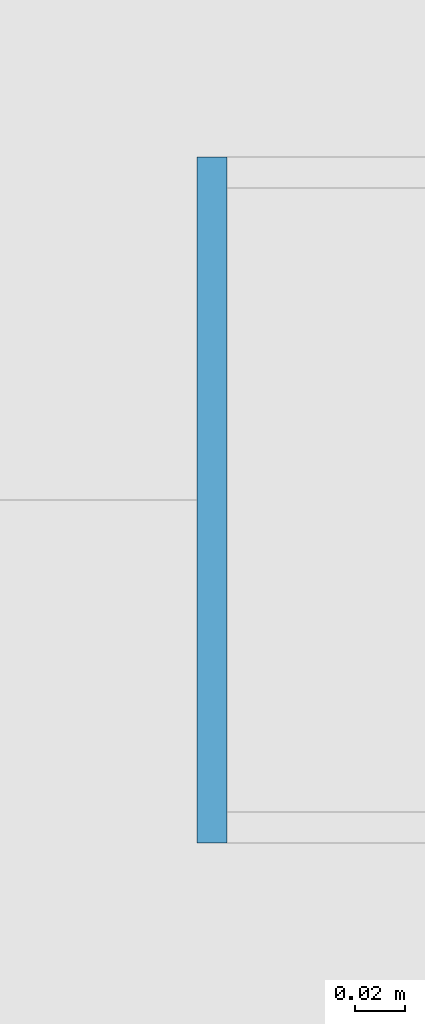
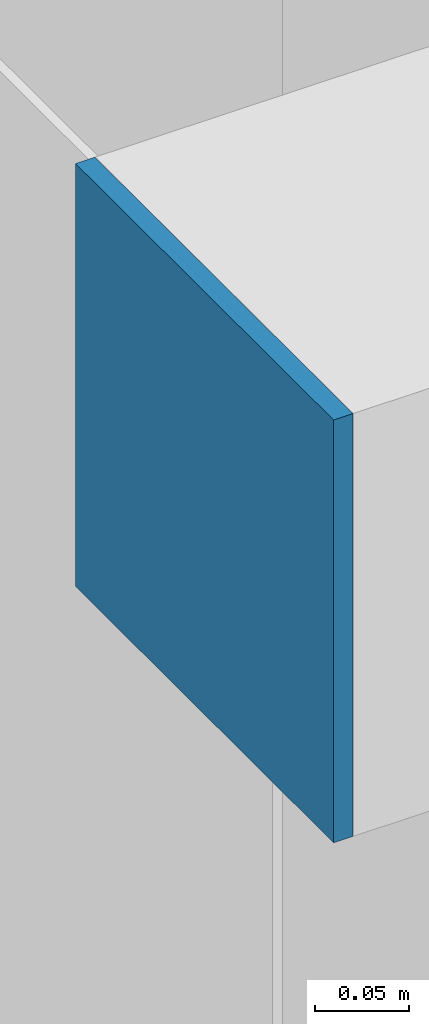
# One storey, part 33 of 44: 1 plate.
"""IFC4 building model written with IfcOpenShell, lengths in metres."""

from ifc_helpers import new_model, si_unit, direction, frame, origin, origin_2d, place, context, subcontext, project, spatial, rectangle, extrude, source, transform, mapped, material, layer, layer_set, type_object, element, save


model = new_model("IFC4")

# Units and contexts
model_context = context("Model", 3, precision=1e-05, world=origin(), true_north=direction((0.0, 1.0)))
body_context = subcontext(model_context, "Body", "Model", "MODEL_VIEW")
ifc_project = project(units=[si_unit("LENGTHUNIT", "METRE"), si_unit("AREAUNIT", "SQUARE_METRE"), si_unit("VOLUMEUNIT", "CUBIC_METRE"), si_unit("PLANEANGLEUNIT", "RADIAN"), si_unit("MASSUNIT", "GRAM", prefix="KILO")], contexts=[model_context])

# Site, building, storey
site_placement = place(None, origin())
site = spatial("IfcSite", under=ifc_project, at=site_placement, CompositionType="ELEMENT")
building_placement = place(site_placement, origin())
building = spatial("IfcBuilding", under=site, at=building_placement, Name="Taldren Reach Tower", CompositionType="ELEMENT")
storey_placement = place(building_placement, frame((0.0, 0.0, 38.85009765625)))
storey = spatial("IfcBuildingStorey", under=building, at=storey_placement, Name="L11", CompositionType="ELEMENT", Elevation=38.85009765625)

# Plate
ifc_material = material(Name="Steel Gr 450 (C450L0)", Category="steel")
ifc_layer = layer(ifc_material, 0.011962890625)
ifc_layer_set = layer_set([ifc_layer], Name="Steel Gr 450 (C450L0)")
plate_type = type_object("IfcPlateType", Name="PL-CAP-275", PredefinedType="SHEET", material=ifc_layer_set)
shared_shape = source(origin(), body_context, "Body", "SweptSolid", [
    extrude(rectangle(XDim=0.011962890625, YDim=0.27490234375, at=origin_2d()), origin(), (0.0, 0.0, 1.0), 0.27490234375),
])
plate_placement = place(storey_placement, frame((4.093994140625, 20.0, 2.512451171875), z_axis=(0.0, 0.0, 1.0), x_axis=(1.0, 0.0, 0.0)))
element("IfcPlate", 1, at=plate_placement, inside=storey, type_object=plate_type, Name="Tie strut end cap plate B1-W2 L11", PredefinedType="SHEET", context=body_context, shape_type="MappedRepresentation", body=[
    mapped(shared_shape, transform((0.0, 0.0, 0.0), scale=1.0)),
])

save(model, "model.ifc")
